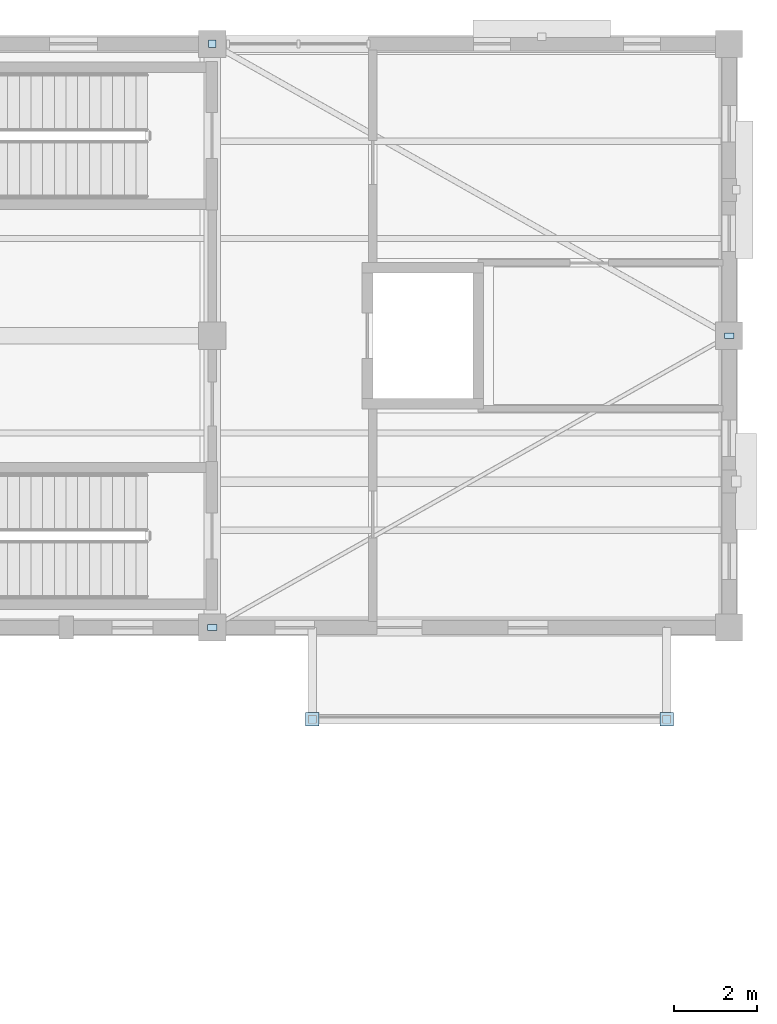
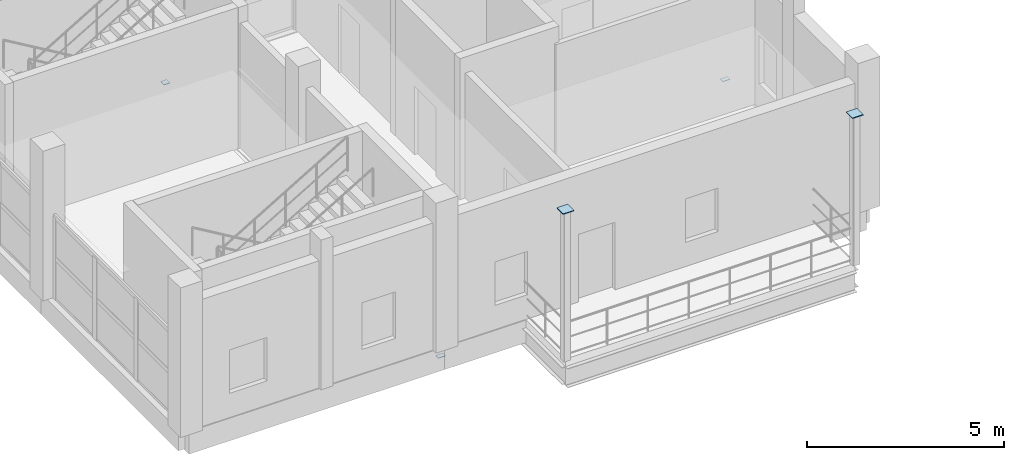
# One storey, part 27 of 40: 5 plates.
"""IFC4 building model written with IfcOpenShell, lengths in metres."""

from ifc_helpers import new_model, si_unit, direction, frame, origin, origin_2d, place, context, subcontext, project, spatial, rectangle, extrude, material, layer, layer_set, type_object, element, save


model = new_model("IFC4")

# Units and contexts
model_context = context("Model", 3, precision=1e-05, world=origin(), true_north=direction((0.0, 1.0)))
body_context = subcontext(model_context, "Body", "Model", "MODEL_VIEW")
ifc_project = project(units=[si_unit("LENGTHUNIT", "METRE"), si_unit("AREAUNIT", "SQUARE_METRE"), si_unit("VOLUMEUNIT", "CUBIC_METRE"), si_unit("PLANEANGLEUNIT", "RADIAN"), si_unit("MASSUNIT", "GRAM", prefix="KILO")], contexts=[model_context])

# Site, building, storey
site_placement = place(None, origin())
site = spatial("IfcSite", under=ifc_project, at=site_placement, CompositionType="ELEMENT")
building_placement = place(site_placement, origin())
building = spatial("IfcBuilding", under=site, at=building_placement, Name="Trellovar Central Fire Station", CompositionType="ELEMENT")
storey_placement = place(building_placement, frame((0.0, 0.0, 12.75)))
storey = spatial("IfcBuildingStorey", under=building, at=storey_placement, Name="L04", CompositionType="ELEMENT", Elevation=12.75)

# Plates
ifc_material_1 = material(Name="Steel ASTM A36", Category="steel")
ifc_layer_1 = layer(ifc_material_1, 0.02392578125)
ifc_layer_set_1 = layer_set([ifc_layer_1], Name="Steel ASTM A36")
plate_type_1 = type_object("IfcPlateType", Name="PLT-EP1", PredefinedType="SHEET", material=ifc_layer_set_1)
for number, where, z_axis, x_axis, name in (
    (1, (151.0, 56.800048828125, 4.637939453125), (0.0, 0.0, 1.0), (1.0, 0.0, 0.0), "HSS end-cap plate 103"),
    (2, (159.5, 56.800048828125, 4.637939453125), (0.0, 0.0, 1.0), (1.0, 0.0, 0.0), "HSS end-cap plate 104"),
):
    element("IfcPlate", number, at=place(storey_placement, frame(where, z_axis=z_axis, x_axis=x_axis)), inside=storey, type_object=plate_type_1, Name=name, PredefinedType="SHEET", context=body_context, shape_type="SweptSolid", body=[
        extrude(rectangle(XDim=0.320068359375, YDim=0.320068359375, at=origin_2d()), origin(), (0.0, 0.0, 1.0), 0.02392578125),
    ])
ifc_material_2 = material(Name="Steel ASTM A36", Category="steel")
ifc_layer_2 = layer(ifc_material_2, 0.01611328125)
ifc_layer_set_2 = layer_set([ifc_layer_2], Name="Steel ASTM A36")
plate_type_2 = type_object("IfcPlateType", Name="PLT-EP4", PredefinedType="SHEET", material=ifc_layer_set_2)
for number, where, z_axis, x_axis, name in (
    (3, (148.60009765625, 59.0, -0.39794921875), (0.0, 0.0, 1.0), (1.0, 0.0, 0.0), "HSS end-cap plate 534"),
    (4, (161.0, 66.0, -0.39794921875), (0.0, 0.0, 1.0), (1.0, 0.0, 0.0), "HSS end-cap plate 535"),
):
    element("IfcPlate", number, at=place(storey_placement, frame(where, z_axis=z_axis, x_axis=x_axis)), inside=storey, type_object=plate_type_2, Name=name, PredefinedType="SHEET", context=body_context, shape_type="SweptSolid", body=[
        extrude(rectangle(XDim=0.219970703125, YDim=0.139892578125, at=origin_2d()), origin(), (0.0, 0.0, 1.0), 0.01611328125),
    ])
ifc_material_3 = material(Name="Steel ASTM A36", Category="steel")
ifc_layer_3 = layer(ifc_material_3, 0.01611328125)
ifc_layer_set_3 = layer_set([ifc_layer_3], Name="Steel ASTM A36")
plate_type_3 = type_object("IfcPlateType", Name="PLT-EP5", PredefinedType="SHEET", material=ifc_layer_set_3)
plate_placement = place(storey_placement, frame((148.60009765625, 73.0, -0.39794921875), z_axis=(0.0, 0.0, 1.0), x_axis=(1.0, 0.0, 0.0)))
element("IfcPlate", 5, at=plate_placement, inside=storey, type_object=plate_type_3, Name="HSS end-cap plate 536", PredefinedType="SHEET", context=body_context, shape_type="SweptSolid", body=[
    extrude(rectangle(XDim=0.179931640625, YDim=0.179931640625, at=origin_2d()), origin(), (0.0, 0.0, 1.0), 0.01611328125),
])

save(model, "model.ifc")
